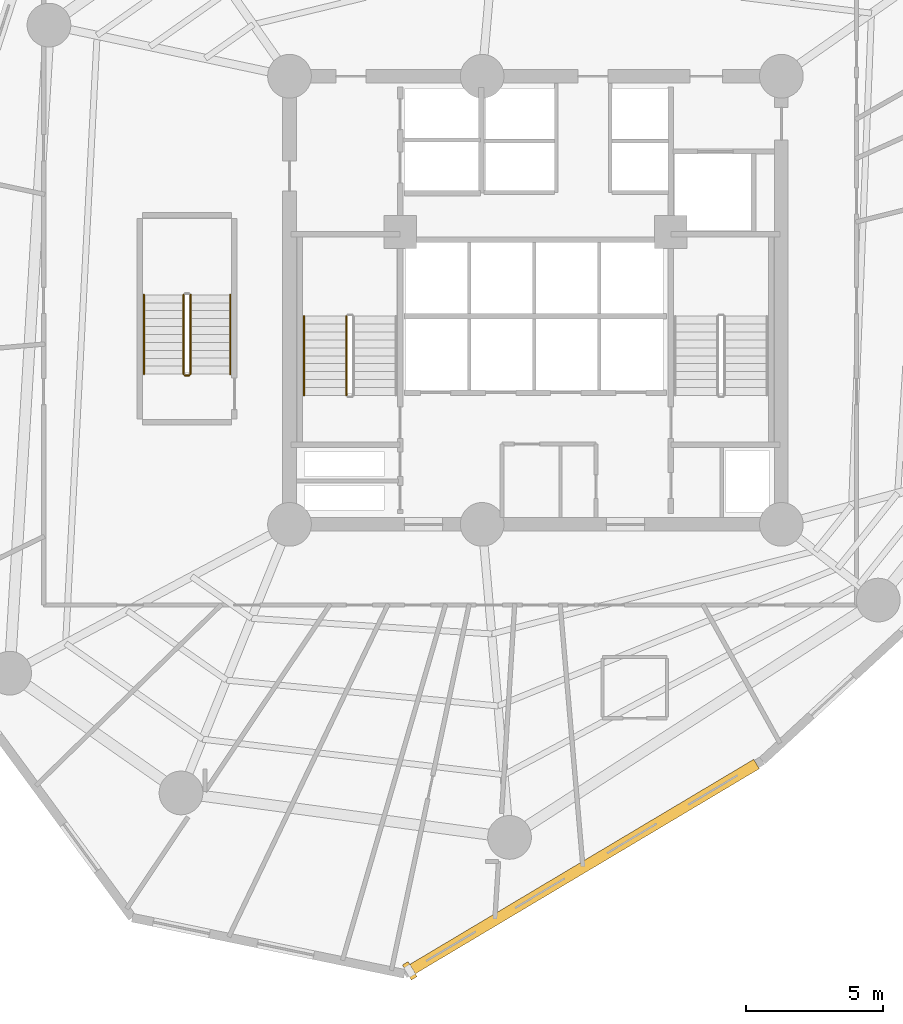
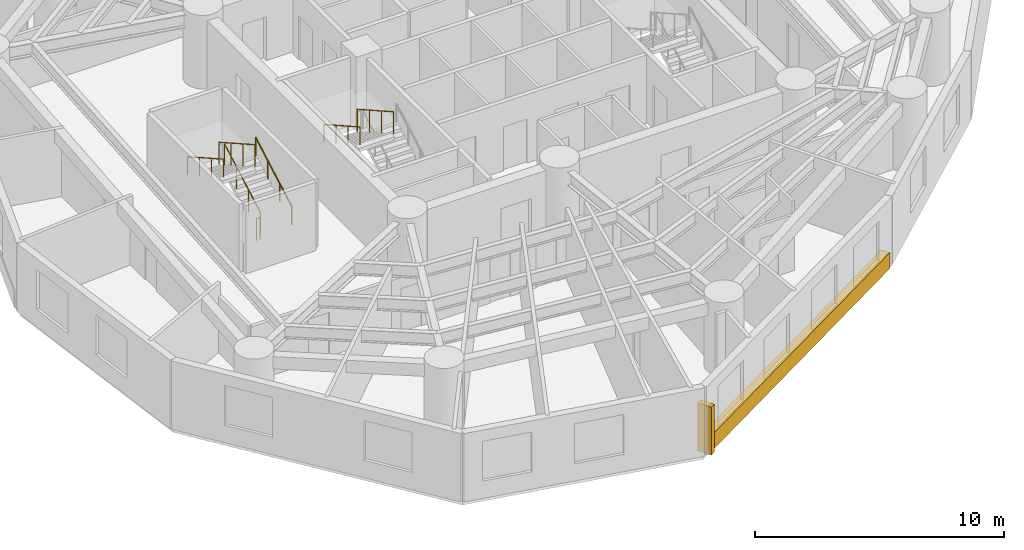
# One storey, part 8 of 10: 7 railings, 1 covering, 1 shading device.
"""IFC4 building model written with IfcOpenShell, lengths in metres."""

from ifc_helpers import new_model, si_unit, direction, frame, origin, origin_with_axes, origin_2d, place, context, subcontext, project, spatial, rectangle, circle, extrude, source, transform, mapped, material, layer, layer_set, type_object, element, save


model = new_model("IFC4")

# Units and contexts
model_context = context("Model", 3, precision=1e-05, world=origin(), true_north=direction((0.0, 1.0)))
body_context = subcontext(model_context, "Body", "Model", "MODEL_VIEW")
ifc_project = project(units=[si_unit("LENGTHUNIT", "METRE"), si_unit("AREAUNIT", "SQUARE_METRE"), si_unit("VOLUMEUNIT", "CUBIC_METRE"), si_unit("PLANEANGLEUNIT", "RADIAN"), si_unit("MASSUNIT", "GRAM", prefix="KILO")], contexts=[model_context])

# Site, building, storey
site_placement = place(None, origin())
site = spatial("IfcSite", under=ifc_project, at=site_placement, CompositionType="ELEMENT")
building_placement = place(site_placement, origin())
building = spatial("IfcBuilding", under=site, at=building_placement, Name="Karkom Vertical University and Central Library", CompositionType="ELEMENT")
storey_placement = place(building_placement, frame((0.0, 0.0, 66.10009765625)))
storey = spatial("IfcBuildingStorey", under=building, at=storey_placement, Name="L17", CompositionType="ELEMENT", Elevation=66.10009765625)

# Railings
ifc_material_1 = material(Name="Painted galvanised steel balustrade", Category="steel")
ifc_layer_1 = layer(ifc_material_1, 0.06005859375)
ifc_layer_set_1 = layer_set([ifc_layer_1], Name="Painted galvanised steel balustrade")
railing_type_1 = type_object("IfcRailingType", Name="INT-RL-GUARD1100", PredefinedType="GUARDRAIL", material=ifc_layer_set_1)
railing_1_placement = place(storey_placement, frame((21.580078125, 25.919921875, 1.963623046875)))
element("IfcRailing", 1, at=railing_1_placement, inside=storey, type_object=railing_type_1, Name="Level 17 ST-1 stair guard 3", PredefinedType="GUARDRAIL", context=body_context, shape_type="SweptSolid", body=[
    extrude(circle(Radius=0.02392578125, at=origin_2d()), frame((0.0, 0.0, 1.076171875), z_axis=(0.0, -0.870928581787, 0.491409610636), x_axis=(1.0, 0.0, 0.0)), (0.0, 0.0, 1.0), 3.32958984375),
    extrude(circle(Radius=0.02099609375, at=origin_2d()), origin(), (0.0, 0.0, 1.0), 1.052001953125),
    extrude(circle(Radius=0.02099609375, at=origin_2d()), frame((0.0, -0.966552734375, 0.54541015625)), (0.0, 0.0, 1.0), 1.052001953125),
    extrude(circle(Radius=0.02099609375, at=origin_2d()), frame((0.0, -1.933349609375, 1.0908203125)), (0.0, 0.0, 1.0), 1.052001953125),
    extrude(circle(Radius=0.02099609375, at=origin_2d()), frame((0.0, -2.89990234375, 1.63623046875)), (0.0, 0.0, 1.0), 1.052001953125),
])
railing_2_placement = place(storey_placement, frame((15.8798828125, 23.800048828125, 0.16357421875)))
element("IfcRailing", 2, at=railing_2_placement, inside=storey, type_object=railing_type_1, Name="Level 17 ST-3 stair guard 1", PredefinedType="GUARDRAIL", context=body_context, shape_type="SweptSolid", body=[
    extrude(circle(Radius=0.02392578125, at=origin_2d()), frame((0.0, 0.0, 1.076171875), z_axis=(0.0, 0.870928581787, 0.491409610636), x_axis=(-1.0, 0.0, 0.0)), (0.0, 0.0, 1.0), 3.32958984375),
    extrude(circle(Radius=0.02099609375, at=origin_2d()), origin(), (0.0, 0.0, 1.0), 1.052001953125),
    extrude(circle(Radius=0.02099609375, at=origin_2d()), frame((0.0, 0.966552734375, 0.54541015625)), (0.0, 0.0, 1.0), 1.052001953125),
    extrude(circle(Radius=0.02099609375, at=origin_2d()), frame((0.0, 1.933349609375, 1.0908203125)), (0.0, 0.0, 1.0), 1.052001953125),
    extrude(circle(Radius=0.02099609375, at=origin_2d()), frame((0.0, 2.89990234375, 1.63623046875)), (0.0, 0.0, 1.0), 1.052001953125),
])
railing_3_placement = place(storey_placement, frame((15.6201171875, 26.699951171875, 1.963623046875)))
element("IfcRailing", 3, at=railing_3_placement, inside=storey, type_object=railing_type_1, Name="Level 17 ST-3 stair guard 3", PredefinedType="GUARDRAIL", context=body_context, shape_type="SweptSolid", body=[
    extrude(circle(Radius=0.02392578125, at=origin_2d()), frame((0.0, 0.0, 1.076171875), z_axis=(0.0, -0.870928581787, 0.491409610636), x_axis=(1.0, 0.0, 0.0)), (0.0, 0.0, 1.0), 3.32958984375),
    extrude(circle(Radius=0.02099609375, at=origin_2d()), origin(), (0.0, 0.0, 1.0), 1.052001953125),
    extrude(circle(Radius=0.02099609375, at=origin_2d()), frame((0.0, -0.966552734375, 0.54541015625)), (0.0, 0.0, 1.0), 1.052001953125),
    extrude(circle(Radius=0.02099609375, at=origin_2d()), frame((0.0, -1.933349609375, 1.0908203125)), (0.0, 0.0, 1.0), 1.052001953125),
    extrude(circle(Radius=0.02099609375, at=origin_2d()), frame((0.0, -2.89990234375, 1.63623046875)), (0.0, 0.0, 1.0), 1.052001953125),
])
railing_4_placement = place(storey_placement, frame((15.830078125, 23.75, 0.0)))
element("IfcRailing", 4, at=railing_4_placement, inside=storey, type_object=railing_type_1, Name="Level 17 ST-3 stair guard 4", PredefinedType="GUARDRAIL", context=body_context, shape_type="SweptSolid", body=[
    extrude(circle(Radius=0.02392578125, at=origin_2d()), frame((0.0, 0.0, 1.076171875), z_axis=(-1.0, 0.0, 0.0), x_axis=(0.0, -1.0, 0.0)), (0.0, 0.0, 1.0), 0.16015625),
    extrude(circle(Radius=0.02099609375, at=origin_2d()), origin(), (0.0, 0.0, 1.0), 1.052001953125),
    extrude(circle(Radius=0.02099609375, at=origin_2d()), frame((-0.16015625, 0.0, 0.0)), (0.0, 0.0, 1.0), 1.052001953125),
])
ifc_material_2 = material(Name="Brushed stainless-steel tubular handrail", Category="steel")
ifc_layer_2 = layer(ifc_material_2, 0.048095703125)
ifc_layer_set_2 = layer_set([ifc_layer_2], Name="Brushed stainless-steel tubular handrail")
railing_type_2 = type_object("IfcRailingType", Name="INT-RL-HAND920", PredefinedType="HANDRAIL", material=ifc_layer_set_2)
railing_5_placement = place(storey_placement, frame((20.030029296875, 25.919921875, 1.963623046875)))
element("IfcRailing", 5, at=railing_5_placement, inside=storey, type_object=railing_type_2, Name="Level 17 ST-1 stair handrail 2", PredefinedType="HANDRAIL", context=body_context, shape_type="SweptSolid", body=[
    extrude(circle(Radius=0.02392578125, at=origin_2d()), frame((0.0, 0.0, 0.8759765625), z_axis=(0.0, -0.870928581787, 0.491409610636), x_axis=(1.0, 0.0, 0.0)), (0.0, 0.0, 1.0), 3.32958984375),
    extrude(circle(Radius=0.02099609375, at=origin_2d()), origin(), (0.0, 0.0, 1.0), 0.851806640625),
    extrude(circle(Radius=0.02099609375, at=origin_2d()), frame((0.0, -0.966552734375, 0.54541015625)), (0.0, 0.0, 1.0), 0.851806640625),
    extrude(circle(Radius=0.02099609375, at=origin_2d()), frame((0.0, -1.933349609375, 1.0908203125)), (0.0, 0.0, 1.0), 0.851806640625),
    extrude(circle(Radius=0.02099609375, at=origin_2d()), frame((0.0, -2.89990234375, 1.63623046875)), (0.0, 0.0, 1.0), 0.851806640625),
])
railing_6_placement = place(storey_placement, frame((17.330078125, 23.800048828125, 0.16357421875)))
element("IfcRailing", 6, at=railing_6_placement, inside=storey, type_object=railing_type_2, Name="Level 17 ST-3 stair handrail 1", PredefinedType="HANDRAIL", context=body_context, shape_type="SweptSolid", body=[
    extrude(circle(Radius=0.02392578125, at=origin_2d()), frame((0.0, 0.0, 0.8759765625), z_axis=(0.0, 0.870928581787, 0.491409610636), x_axis=(-1.0, 0.0, 0.0)), (0.0, 0.0, 1.0), 3.32958984375),
    extrude(circle(Radius=0.02099609375, at=origin_2d()), origin(), (0.0, 0.0, 1.0), 0.851806640625),
    extrude(circle(Radius=0.02099609375, at=origin_2d()), frame((0.0, 0.966552734375, 0.54541015625)), (0.0, 0.0, 1.0), 0.851806640625),
    extrude(circle(Radius=0.02099609375, at=origin_2d()), frame((0.0, 1.933349609375, 1.0908203125)), (0.0, 0.0, 1.0), 0.851806640625),
    extrude(circle(Radius=0.02099609375, at=origin_2d()), frame((0.0, 2.89990234375, 1.63623046875)), (0.0, 0.0, 1.0), 0.851806640625),
])
railing_7_placement = place(storey_placement, frame((14.169921875, 26.699951171875, 1.963623046875)))
element("IfcRailing", 7, at=railing_7_placement, inside=storey, type_object=railing_type_2, Name="Level 17 ST-3 stair handrail 2", PredefinedType="HANDRAIL", context=body_context, shape_type="SweptSolid", body=[
    extrude(circle(Radius=0.02392578125, at=origin_2d()), frame((0.0, 0.0, 0.8759765625), z_axis=(0.0, -0.870928581787, 0.491409610636), x_axis=(1.0, 0.0, 0.0)), (0.0, 0.0, 1.0), 3.32958984375),
    extrude(circle(Radius=0.02099609375, at=origin_2d()), origin(), (0.0, 0.0, 1.0), 0.851806640625),
    extrude(circle(Radius=0.02099609375, at=origin_2d()), frame((0.0, -0.966552734375, 0.54541015625)), (0.0, 0.0, 1.0), 0.851806640625),
    extrude(circle(Radius=0.02099609375, at=origin_2d()), frame((0.0, -1.933349609375, 1.0908203125)), (0.0, 0.0, 1.0), 0.851806640625),
    extrude(circle(Radius=0.02099609375, at=origin_2d()), frame((0.0, -2.89990234375, 1.63623046875)), (0.0, 0.0, 1.0), 0.851806640625),
])

# Shading device
ifc_material_3 = material(Name="Terracotta-clad precast concrete sun-breaker fin C45/55", Category="masonry")
shading_device_type = type_object("IfcShadingDeviceType", Name="ENV-SHD-BRISE", PredefinedType="USERDEFINED", material=ifc_material_3)
shared_shape_1 = source(origin_with_axes(), body_context, "Body", "SweptSolid", [
    extrude(rectangle(XDim=0.239990234375, YDim=0.639892578125, at=origin_2d()), origin(), (0.0, 0.0, 1.0), 2.35009765625),
])
shading_device_placement = place(storey_placement, frame((23.89892578125, 1.962646484375, -0.000244140625), z_axis=(0.0, 0.0, 1.0), x_axis=(0.858959896931, 0.512042864871, 0.0)))
element("IfcShadingDevice", 8, at=shading_device_placement, inside=storey, type_object=shading_device_type, Name="Level 17 Brutalist Brise-Soleil Fin 05", ObjectType="BRISE SOLEIL", PredefinedType="USERDEFINED", context=body_context, shape_type="MappedRepresentation", body=[
    mapped(shared_shape_1, transform((0.0, 0.0, 0.0), scale=1.0)),
])

# Covering
ifc_material_4 = material(Name="Hand-pressed red-ochre terracotta brick slip cladding", Category="masonry")
ifc_layer_3 = layer(ifc_material_4, 0.090087890625)
ifc_layer_set_3 = layer_set([ifc_layer_3], Name="Hand-pressed red-ochre terracotta brick slip cladding")
covering_type = type_object("IfcCoveringType", Name="ENV-COV-CLAD", PredefinedType="CLADDING", material=ifc_layer_set_3)
shared_shape_2 = source(origin_with_axes(), body_context, "Body", "SweptSolid", [
    extrude(rectangle(XDim=14.7451171875, YDim=0.39990234375, at=origin_2d()), origin(), (0.0, 0.0, 1.0), 0.780029296875),
])
covering_placement = place(storey_placement, frame((30.257080078125, 5.753662109375, 0.0), z_axis=(0.0, 0.0, 1.0), x_axis=(0.858959896931, 0.512042864871, 0.0)))
element("IfcCovering", 9, at=covering_placement, inside=storey, type_object=covering_type, Name="Level 17 Terracotta Spandrel Cladding 05", PredefinedType="CLADDING", context=body_context, shape_type="MappedRepresentation", body=[
    mapped(shared_shape_2, transform((0.0, 0.0, 0.0), scale=1.0)),
])

save(model, "model.ifc")
